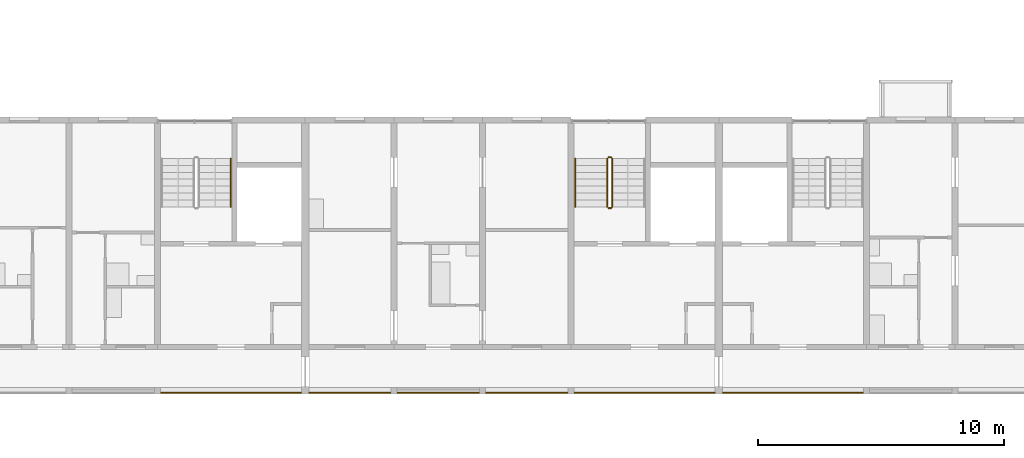
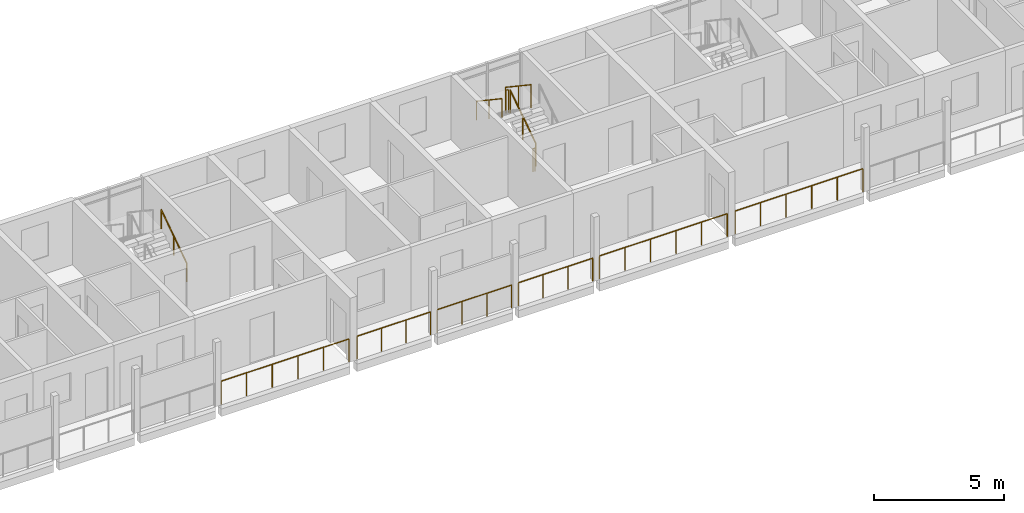
# One storey, part 79 of 100: 12 railings.
"""IFC4 building model written with IfcOpenShell, lengths in metres."""

import ifcopenshell
import ifcopenshell.guid

model = None  # the IFC model being written
_history = None  # IfcOwnerHistory: only IFC2X3 demands one
_inside = {}  # id of a spatial element -> (the spatial element, [elements in it])
_under = {}  # id of a project, library or spatial element -> (it, [spatial elements below it])
_declared = {}  # id of a project -> (the project, [libraries it declares])
_typed = {}  # id of a type object -> (the type object, [elements of that type])
_made_of = {}  # id of a material, layer set ... -> (it, [elements and type objects made of it])


def new_model(schema):
    """Start an empty IFC model of exactly this schema.

    Asked for "IFC4X3", IfcOpenShell would pick the latest addendum, in which some entities
    have other attributes; the version numbers below select the first issue.
    IFC2X3 requires an IfcOwnerHistory on every rooted entity: one is made here for all.
    """
    global model, _history
    if schema == "IFC4X3":
        model = ifcopenshell.file(schema_version=(4, 3, 0, 0))
    else:
        model = ifcopenshell.file(schema=schema)
    _inside.clear()
    _under.clear()
    _declared.clear()
    _typed.clear()
    _made_of.clear()
    _history = None
    if model.schema == "IFC2X3":
        org = make("IfcOrganization", Name="unknown")
        user = make(
            "IfcPersonAndOrganization",
            ThePerson=make("IfcPerson", FamilyName="unknown"),
            TheOrganization=org,
        )
        app = make(
            "IfcApplication",
            ApplicationDeveloper=org,
            Version="unknown",
            ApplicationFullName="unknown",
            ApplicationIdentifier="unknown",
        )
        _history = make(
            "IfcOwnerHistory",
            OwningUser=user,
            OwningApplication=app,
            ChangeAction="ADDED",
            CreationDate=0,
        )
    return model


def make(cls, **values):
    """One entity of the class cls with the attributes given. An attribute that is None is left unset."""
    return model.create_entity(
        cls, **{name: value for name, value in values.items() if value is not None}
    )


def rooted(cls, **values):
    """An entity with a GlobalId (a new one), such as an element, a storey or a relation."""
    return make(cls, GlobalId=ifcopenshell.guid.new(), OwnerHistory=_history, **values)


def si_unit(unit_type, name, prefix=None):
    """IfcSIUnit, for example si_unit("LENGTHUNIT", "METRE", prefix="MILLI")."""
    return make("IfcSIUnit", UnitType=unit_type, Prefix=prefix, Name=name)


def assignment(units):
    """IfcUnitAssignment: the units of a project."""
    return None if units is None else make("IfcUnitAssignment", Units=units)


def point(xyz):
    """IfcCartesianPoint."""
    return None if xyz is None else make("IfcCartesianPoint", Coordinates=xyz)


def direction(xyz):
    """IfcDirection."""
    return None if xyz is None else make("IfcDirection", DirectionRatios=xyz)


def frame(location, z_axis=None, x_axis=None):
    """IfcAxis2Placement3D, a coordinate frame: its origin and axes. An axis left out is left unset."""
    return make(
        "IfcAxis2Placement3D",
        Location=point(location),
        Axis=direction(z_axis),
        RefDirection=direction(x_axis),
    )


def frame_2d(location, x_axis=None):
    """IfcAxis2Placement2D, a coordinate frame in the plane: its origin and x axis."""
    return make(
        "IfcAxis2Placement2D", Location=point(location), RefDirection=direction(x_axis)
    )


def origin():
    """The frame at (0, 0, 0) with its axes left unset."""
    return frame((0.0, 0.0, 0.0))


def origin_2d():
    """The frame at (0, 0) in the plane with its x axis left unset."""
    return frame_2d((0.0, 0.0))


def place(relative_to, where):
    """IfcLocalPlacement: puts the frame where relative to a parent placement (None: the world)."""
    return make(
        "IfcLocalPlacement", PlacementRelTo=relative_to, RelativePlacement=where
    )


def context(
    kind, dimensions, precision=None, world=None, true_north=None, identifier=None
):
    """IfcGeometricRepresentationContext, for example the 3D "Model" context."""
    return make(
        "IfcGeometricRepresentationContext",
        ContextIdentifier=identifier,
        ContextType=kind,
        CoordinateSpaceDimension=dimensions,
        Precision=precision,
        WorldCoordinateSystem=world,
        TrueNorth=true_north,
    )


def subcontext(parent, identifier, kind, view, scale=None):
    """IfcGeometricRepresentationSubContext, for example "Body" below "Model"."""
    return make(
        "IfcGeometricRepresentationSubContext",
        ContextIdentifier=identifier,
        ContextType=kind,
        ParentContext=parent,
        TargetScale=scale,
        TargetView=view,
    )


def project(units=None, contexts=None):
    """IfcProject with its units and contexts."""
    return rooted(
        "IfcProject",
        Name="project",
        RepresentationContexts=contexts,
        UnitsInContext=assignment(units),
    )


def spatial(cls, under=None, at=None, **own):
    """A site, building, storey or space (cls), placed at a placement, below another one or the project."""
    s = rooted(cls, ObjectPlacement=at, **own)
    if under is not None:
        _under.setdefault(under.id(), (under, []))[1].append(s)
    return s


def profile(cls, at=None, kind="AREA", **sizes):
    """A parametric profile (cls). Its sizes go by their IFC names, for example OverallWidth=200.0."""
    return make(cls, ProfileType=kind, Position=at, **sizes)


def circle(**sizes):
    """IfcCircleProfileDef."""
    return profile("IfcCircleProfileDef", **sizes)


def extrude(swept, where, along, depth):
    """IfcExtrudedAreaSolid: the profile swept, set in the frame where, extruded along a direction by depth."""
    return make(
        "IfcExtrudedAreaSolid",
        SweptArea=swept,
        Position=where,
        ExtrudedDirection=direction(along),
        Depth=depth,
    )


def shape(context_of_items, identifier, shape_type, items):
    """IfcShapeRepresentation: the items that make up one representation, for example the "Body"."""
    return make(
        "IfcShapeRepresentation",
        ContextOfItems=context_of_items,
        RepresentationIdentifier=identifier,
        RepresentationType=shape_type,
        Items=items,
    )


def material(Name=None, Category=None):
    """IfcMaterial."""
    return make("IfcMaterial", Name=Name, Category=Category)


def made_of(thing, what):
    """Note that an element or type object is made of a material, layer set ...; save() writes the relation."""
    if what is not None:
        _made_of.setdefault(what.id(), (what, []))[1].append(thing)
    return thing


def type_object(cls, material=None, **own):
    """A type object (cls), such as IfcWallType, which elements share."""
    return made_of(rooted(cls, **own), material)


def element(
    cls,
    number,
    at=None,
    inside=None,
    cuts=None,
    type_object=None,
    material=None,
    context=None,
    identifier="Body",
    shape_type=None,
    held_by="IfcProductDefinitionShape",
    body=None,
    shapes=None,
    **own,
):
    """One element of the class cls, such as IfcWall. Its Tag is "e" and its number.

    at: its placement. inside: the storey or other place that contains it. cuts: it is an
    opening in that element (IfcRelVoidsElement). A single representation is given by context,
    identifier, shape_type and body (its items); several are given by shapes. held_by: the class
    of the entity that holds the representations. save() writes the other relations.
    """
    e = rooted(cls, Tag="e%d" % number, ObjectPlacement=at, **own)
    if body is not None:
        shapes = [shape(context, identifier, shape_type, body)]
    if shapes is not None:
        e.Representation = make(held_by, Representations=shapes)
    if inside is not None:
        _inside.setdefault(inside.id(), (inside, []))[1].append(e)
    if cuts is not None:
        rooted(
            "IfcRelVoidsElement", RelatingBuildingElement=cuts, RelatedOpeningElement=e
        )
    if type_object is not None:
        _typed.setdefault(type_object.id(), (type_object, []))[1].append(e)
    return made_of(e, material)


def aggregate(whole, parts):
    """IfcRelAggregates: a whole, such as a stair, and the parts it consists of."""
    return rooted("IfcRelAggregates", RelatingObject=whole, RelatedObjects=parts)


def save(model, path):
    """Write the relations noted so far, then the file.

    IfcRelAggregates (storeys below a building ...), IfcRelContainedInSpatialStructure (elements
    in a storey), IfcRelDefinesByType, IfcRelAssociatesMaterial and IfcRelDeclares: one each for
    every whole, place, type object, material and project.
    """
    for whole, parts in _under.values():
        aggregate(whole, parts)
    for where, things in _inside.values():
        rooted(
            "IfcRelContainedInSpatialStructure",
            RelatedElements=things,
            RelatingStructure=where,
        )
    for kind, things in _typed.values():
        rooted("IfcRelDefinesByType", RelatedObjects=things, RelatingType=kind)
    for what, things in _made_of.values():
        rooted("IfcRelAssociatesMaterial", RelatedObjects=things, RelatingMaterial=what)
    for by, libraries in _declared.values():
        rooted("IfcRelDeclares", RelatingContext=by, RelatedDefinitions=libraries)
    model.write(path)


model = new_model("IFC4")

# Units and contexts
model_context = context("Model", 3, precision=1e-05, world=origin(), true_north=direction((0.0, 1.0)))
body_context = subcontext(model_context, "Body", "Model", "MODEL_VIEW")
ifc_project = project(units=[si_unit("LENGTHUNIT", "METRE"), si_unit("AREAUNIT", "SQUARE_METRE"), si_unit("VOLUMEUNIT", "CUBIC_METRE"), si_unit("PLANEANGLEUNIT", "RADIAN"), si_unit("MASSUNIT", "GRAM", prefix="KILO")], contexts=[model_context])

# Site, building, storey
site_placement = place(None, origin())
site = spatial("IfcSite", under=ifc_project, at=site_placement, CompositionType="ELEMENT")
building_placement = place(site_placement, origin())
building = spatial("IfcBuilding", under=site, at=building_placement, Name="Ridgestep Commons", CompositionType="ELEMENT")
storey_placement = place(building_placement, frame((0.0, 0.0, 9.0)))
storey = spatial("IfcBuildingStorey", under=building, at=storey_placement, Name="L03", CompositionType="ELEMENT", Elevation=9.0)

# Railings
ifc_material_1 = material(Name="Structural steel S355JR", Category="steel")
railing_type_1 = type_object("IfcRailingType", Name="Guard 1100", PredefinedType="GUARDRAIL", material=ifc_material_1)
railing_1_placement = place(storey_placement, frame((73.345947265625, 11.800048828125, 0.0)))
element("IfcRailing", 1, at=railing_1_placement, inside=storey, type_object=railing_type_1, Name="Gallery guard A 03.16", PredefinedType="GUARDRAIL", context=body_context, shape_type="SweptSolid", body=[
    extrude(circle(Radius=0.02392578125, at=origin_2d()), frame((0.0, 0.0, 1.076171875), z_axis=(1.0, 0.0, 0.0), x_axis=(0.0, 1.0, 0.0)), (0.0, 0.0, 1.0), 5.68310546875),
    extrude(circle(Radius=0.02099609375, at=origin_2d()), origin(), (0.0, 0.0, 1.0), 1.052001953125),
    extrude(circle(Radius=0.02099609375, at=origin_2d()), frame((1.13671875, 0.0, 0.0)), (0.0, 0.0, 1.0), 1.052001953125),
    extrude(circle(Radius=0.02099609375, at=origin_2d()), frame((2.273193359375, 0.0, 0.0)), (0.0, 0.0, 1.0), 1.052001953125),
    extrude(circle(Radius=0.02099609375, at=origin_2d()), frame((3.409912109375, 0.0, 0.0)), (0.0, 0.0, 1.0), 1.052001953125),
    extrude(circle(Radius=0.02099609375, at=origin_2d()), frame((4.54638671875, 0.0, 0.0)), (0.0, 0.0, 1.0), 1.052001953125),
    extrude(circle(Radius=0.02099609375, at=origin_2d()), frame((5.68310546875, 0.0, 0.0)), (0.0, 0.0, 1.0), 1.052001953125),
])
railing_2_placement = place(storey_placement, frame((79.37109375, 11.800048828125, 0.0)))
element("IfcRailing", 2, at=railing_2_placement, inside=storey, type_object=railing_type_1, Name="Gallery guard A 03.17", PredefinedType="GUARDRAIL", context=body_context, shape_type="SweptSolid", body=[
    extrude(circle(Radius=0.02392578125, at=origin_2d()), frame((0.0, 0.0, 1.076171875), z_axis=(1.0, 0.0, 0.0), x_axis=(0.0, 1.0, 0.0)), (0.0, 0.0, 1.0), 3.282958984375),
    extrude(circle(Radius=0.02099609375, at=origin_2d()), origin(), (0.0, 0.0, 1.0), 1.052001953125),
    extrude(circle(Radius=0.02099609375, at=origin_2d()), frame((1.09423828125, 0.0, 0.0)), (0.0, 0.0, 1.0), 1.052001953125),
    extrude(circle(Radius=0.02099609375, at=origin_2d()), frame((2.188720703125, 0.0, 0.0)), (0.0, 0.0, 1.0), 1.052001953125),
    extrude(circle(Radius=0.02099609375, at=origin_2d()), frame((3.282958984375, 0.0, 0.0)), (0.0, 0.0, 1.0), 1.052001953125),
])
railing_3_placement = place(storey_placement, frame((82.946044921875, 11.800048828125, 0.0)))
element("IfcRailing", 3, at=railing_3_placement, inside=storey, type_object=railing_type_1, Name="Gallery guard A 03.18", PredefinedType="GUARDRAIL", context=body_context, shape_type="SweptSolid", body=[
    extrude(circle(Radius=0.02392578125, at=origin_2d()), frame((0.0, 0.0, 1.076171875), z_axis=(1.0, 0.0, 0.0), x_axis=(0.0, 1.0, 0.0)), (0.0, 0.0, 1.0), 3.307861328125),
    extrude(circle(Radius=0.02099609375, at=origin_2d()), origin(), (0.0, 0.0, 1.0), 1.052001953125),
    extrude(circle(Radius=0.02099609375, at=origin_2d()), frame((1.1025390625, 0.0, 0.0)), (0.0, 0.0, 1.0), 1.052001953125),
    extrude(circle(Radius=0.02099609375, at=origin_2d()), frame((2.205322265625, 0.0, 0.0)), (0.0, 0.0, 1.0), 1.052001953125),
    extrude(circle(Radius=0.02099609375, at=origin_2d()), frame((3.307861328125, 0.0, 0.0)), (0.0, 0.0, 1.0), 1.052001953125),
])
railing_4_placement = place(storey_placement, frame((86.5458984375, 11.800048828125, 0.0)))
element("IfcRailing", 4, at=railing_4_placement, inside=storey, type_object=railing_type_1, Name="Gallery guard A 03.19", PredefinedType="GUARDRAIL", context=body_context, shape_type="SweptSolid", body=[
    extrude(circle(Radius=0.02392578125, at=origin_2d()), frame((0.0, 0.0, 1.076171875), z_axis=(1.0, 0.0, 0.0), x_axis=(0.0, 1.0, 0.0)), (0.0, 0.0, 1.0), 3.30810546875),
    extrude(circle(Radius=0.02099609375, at=origin_2d()), origin(), (0.0, 0.0, 1.0), 1.052001953125),
    extrude(circle(Radius=0.02099609375, at=origin_2d()), frame((1.102783203125, 0.0, 0.0)), (0.0, 0.0, 1.0), 1.052001953125),
    extrude(circle(Radius=0.02099609375, at=origin_2d()), frame((2.205322265625, 0.0, 0.0)), (0.0, 0.0, 1.0), 1.052001953125),
    extrude(circle(Radius=0.02099609375, at=origin_2d()), frame((3.30810546875, 0.0, 0.0)), (0.0, 0.0, 1.0), 1.052001953125),
])
for number, where, name in (
    (5, (90.14599609375, 11.800048828125, 0.0), "Gallery guard A 03.20"),
    (6, (96.1708984375, 11.800048828125, 0.0), "Gallery guard A 03.21"),
):
    element("IfcRailing", number, at=place(storey_placement, frame(where)), inside=storey, type_object=railing_type_1, Name=name, PredefinedType="GUARDRAIL", context=body_context, shape_type="SweptSolid", body=[
        extrude(circle(Radius=0.02392578125, at=origin_2d()), frame((0.0, 0.0, 1.076171875), z_axis=(1.0, 0.0, 0.0), x_axis=(0.0, 1.0, 0.0)), (0.0, 0.0, 1.0), 5.68310546875),
        extrude(circle(Radius=0.02099609375, at=origin_2d()), origin(), (0.0, 0.0, 1.0), 1.052001953125),
        extrude(circle(Radius=0.02099609375, at=origin_2d()), frame((1.13671875, 0.0, 0.0)), (0.0, 0.0, 1.0), 1.052001953125),
        extrude(circle(Radius=0.02099609375, at=origin_2d()), frame((2.273193359375, 0.0, 0.0)), (0.0, 0.0, 1.0), 1.052001953125),
        extrude(circle(Radius=0.02099609375, at=origin_2d()), frame((3.409912109375, 0.0, 0.0)), (0.0, 0.0, 1.0), 1.052001953125),
        extrude(circle(Radius=0.02099609375, at=origin_2d()), frame((4.54638671875, 0.0, 0.0)), (0.0, 0.0, 1.0), 1.052001953125),
        extrude(circle(Radius=0.02099609375, at=origin_2d()), frame((5.68310546875, 0.0, 0.0)), (0.0, 0.0, 1.0), 1.052001953125),
    ])
ifc_material_2 = material(Name="Structural steel S355JR", Category="steel")
railing_type_2 = type_object("IfcRailingType", Name="Stair guard 1100", PredefinedType="GUARDRAIL", material=ifc_material_2)
railing_5_placement = place(storey_placement, frame((91.675048828125, 19.35009765625, 0.1875)))
element("IfcRailing", 7, at=railing_5_placement, inside=storey, type_object=railing_type_2, Name="L03 A5C stair guard 1", PredefinedType="GUARDRAIL", context=body_context, shape_type="SweptSolid", body=[
    extrude(circle(Radius=0.02392578125, at=origin_2d()), frame((0.0, 0.0, 1.076171875), z_axis=(0.0, 0.830902050051, 0.556418712142), x_axis=(-1.0, 0.0, 0.0)), (0.0, 0.0, 1.0), 2.35888671875),
    extrude(circle(Radius=0.02099609375, at=origin_2d()), origin(), (0.0, 0.0, 1.0), 1.052001953125),
    extrude(circle(Radius=0.02099609375, at=origin_2d()), frame((0.0, 0.97998046875, 0.65625)), (0.0, 0.0, 1.0), 1.052001953125),
    extrude(circle(Radius=0.02099609375, at=origin_2d()), frame((0.0, 1.9599609375, 1.3125)), (0.0, 0.0, 1.0), 1.052001953125),
])
railing_6_placement = place(storey_placement, frame((91.625, 21.360107421875, 1.5)))
element("IfcRailing", 8, at=railing_6_placement, inside=storey, type_object=railing_type_2, Name="L03 A5C stair guard 2", PredefinedType="GUARDRAIL", context=body_context, shape_type="SweptSolid", body=[
    extrude(circle(Radius=0.02392578125, at=origin_2d()), frame((0.0, 0.0, 1.076171875), z_axis=(-1.0, 0.0, 0.0), x_axis=(0.0, -1.0, 0.0)), (0.0, 0.0, 1.0), 0.10009765625),
    extrude(circle(Radius=0.02099609375, at=origin_2d()), origin(), (0.0, 0.0, 1.0), 1.052001953125),
    extrude(circle(Radius=0.02099609375, at=origin_2d()), frame((-0.10009765625, 0.0, 0.0)), (0.0, 0.0, 1.0), 1.052001953125),
])
railing_7_placement = place(storey_placement, frame((91.47509765625, 21.31005859375, 1.6875)))
element("IfcRailing", 9, at=railing_7_placement, inside=storey, type_object=railing_type_2, Name="L03 A5C stair guard 3", PredefinedType="GUARDRAIL", context=body_context, shape_type="SweptSolid", body=[
    extrude(circle(Radius=0.02392578125, at=origin_2d()), frame((0.0, 0.0, 1.076171875), z_axis=(0.0, -0.830902050051, 0.556418712142), x_axis=(1.0, 0.0, 0.0)), (0.0, 0.0, 1.0), 2.35888671875),
    extrude(circle(Radius=0.02099609375, at=origin_2d()), origin(), (0.0, 0.0, 1.0), 1.052001953125),
    extrude(circle(Radius=0.02099609375, at=origin_2d()), frame((0.0, -0.97998046875, 0.65625)), (0.0, 0.0, 1.0), 1.052001953125),
    extrude(circle(Radius=0.02099609375, at=origin_2d()), frame((0.0, -1.9599609375, 1.3125)), (0.0, 0.0, 1.0), 1.052001953125),
])
railing_8_placement = place(storey_placement, frame((91.625, 19.300048828125, 0.0)))
element("IfcRailing", 10, at=railing_8_placement, inside=storey, type_object=railing_type_2, Name="L03 A5C stair guard 4", PredefinedType="GUARDRAIL", context=body_context, shape_type="SweptSolid", body=[
    extrude(circle(Radius=0.02392578125, at=origin_2d()), frame((0.0, 0.0, 1.076171875), z_axis=(-1.0, 0.0, 0.0), x_axis=(0.0, -1.0, 0.0)), (0.0, 0.0, 1.0), 0.10009765625),
    extrude(circle(Radius=0.02099609375, at=origin_2d()), origin(), (0.0, 0.0, 1.0), 1.052001953125),
    extrude(circle(Radius=0.02099609375, at=origin_2d()), frame((-0.10009765625, 0.0, 0.0)), (0.0, 0.0, 1.0), 1.052001953125),
])
ifc_material_3 = material(Name="Structural steel S355JR", Category="steel")
railing_type_3 = type_object("IfcRailingType", Name="Stair handrail 900", PredefinedType="HANDRAIL", material=ifc_material_3)
railing_9_placement = place(storey_placement, frame((76.175048828125, 19.35009765625, 0.1875)))
element("IfcRailing", 11, at=railing_9_placement, inside=storey, type_object=railing_type_3, Name="L03 A4C stair handrail 1", PredefinedType="HANDRAIL", context=body_context, shape_type="SweptSolid", body=[
    extrude(circle(Radius=0.02392578125, at=origin_2d()), frame((0.0, 0.0, 0.8759765625), z_axis=(0.0, 0.830902050051, 0.556418712142), x_axis=(-1.0, 0.0, 0.0)), (0.0, 0.0, 1.0), 2.35888671875),
    extrude(circle(Radius=0.02099609375, at=origin_2d()), origin(), (0.0, 0.0, 1.0), 0.851806640625),
    extrude(circle(Radius=0.02099609375, at=origin_2d()), frame((0.0, 0.97998046875, 0.65625)), (0.0, 0.0, 1.0), 0.851806640625),
    extrude(circle(Radius=0.02099609375, at=origin_2d()), frame((0.0, 1.9599609375, 1.3125)), (0.0, 0.0, 1.0), 0.851806640625),
])
railing_10_placement = place(storey_placement, frame((90.175048828125, 21.31005859375, 1.6875)))
element("IfcRailing", 12, at=railing_10_placement, inside=storey, type_object=railing_type_3, Name="L03 A5C stair handrail 2", PredefinedType="HANDRAIL", context=body_context, shape_type="SweptSolid", body=[
    extrude(circle(Radius=0.02392578125, at=origin_2d()), frame((0.0, 0.0, 0.8759765625), z_axis=(0.0, -0.830902050051, 0.556418712142), x_axis=(1.0, 0.0, 0.0)), (0.0, 0.0, 1.0), 2.35888671875),
    extrude(circle(Radius=0.02099609375, at=origin_2d()), origin(), (0.0, 0.0, 1.0), 0.851806640625),
    extrude(circle(Radius=0.02099609375, at=origin_2d()), frame((0.0, -0.97998046875, 0.65625)), (0.0, 0.0, 1.0), 0.851806640625),
    extrude(circle(Radius=0.02099609375, at=origin_2d()), frame((0.0, -1.9599609375, 1.3125)), (0.0, 0.0, 1.0), 0.851806640625),
])

save(model, "model.ifc")
